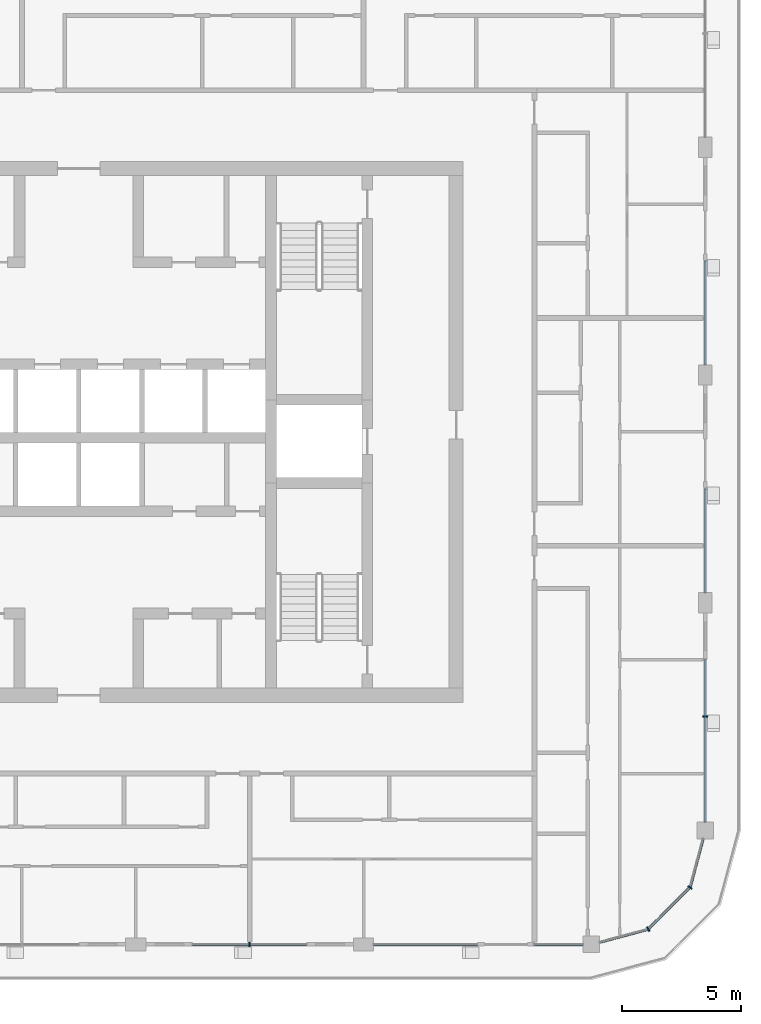
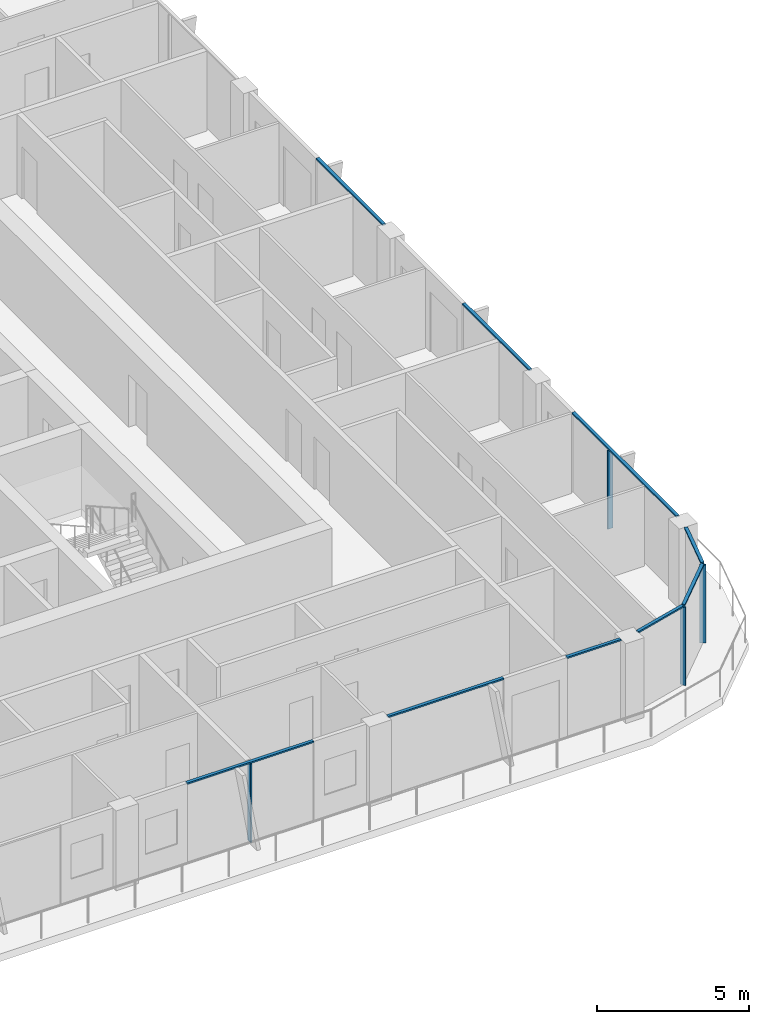
# One storey, part 4 of 22: 13 members, 6 elements without a shape of their own.
"""IFC4 building model written with IfcOpenShell, lengths in metres."""

from ifc_helpers import new_model, si_unit, direction, frame, origin, origin_2d, place, context, subcontext, project, spatial, rectangle, extrude, material, layer, layer_set, material_profile, profile_set, type_object, element, aggregate, save


model = new_model("IFC4")

# Units and contexts
model_context = context("Model", 3, precision=1e-05, world=origin(), true_north=direction((0.0, 1.0)))
body_context = subcontext(model_context, "Body", "Model", "MODEL_VIEW")
ifc_project = project(units=[si_unit("LENGTHUNIT", "METRE"), si_unit("AREAUNIT", "SQUARE_METRE"), si_unit("VOLUMEUNIT", "CUBIC_METRE"), si_unit("PLANEANGLEUNIT", "RADIAN"), si_unit("MASSUNIT", "GRAM", prefix="KILO")], contexts=[model_context])

# Site, building, storey
site_placement = place(None, origin())
site = spatial("IfcSite", under=ifc_project, at=site_placement, CompositionType="ELEMENT")
building_placement = place(site_placement, origin())
building = spatial("IfcBuilding", under=site, at=building_placement, Name="Madar Terraces", CompositionType="ELEMENT")
storey_placement = place(building_placement, frame((0.0, 0.0, 249.199951171875)))
storey = spatial("IfcBuildingStorey", under=building, at=storey_placement, Name="L65", CompositionType="ELEMENT", Elevation=249.199951171875)

# Curtain wall, member
ifc_material_1 = material(Name="Glass, ceramic frit dark grey, with black aluminium frame", Category="aluminium")
ifc_layer = layer(ifc_material_1, 0.199951171875)
ifc_layer_set = layer_set([ifc_layer], Name="Facade curtain wall, fritted glass")
curtain_wall_type = type_object("IfcCurtainWallType", Name="Facade curtain wall, fritted glass", PredefinedType="NOTDEFINED", material=ifc_layer_set)
curtain_wall_1_placement = place(storey_placement, origin())
curtain_wall_1 = element("IfcCurtainWall", 1, at=curtain_wall_1_placement, inside=storey, type_object=curtain_wall_type, Name="Outer skin curtain wall south bay 4", PredefinedType="NOTDEFINED")
ifc_material_2 = material(Name="Aluminium, black anodised", Category="aluminium")
ifc_material_profile_1 = material_profile(ifc_material_2, rectangle(XDim=0.199951171875, YDim=0.06005859375, at=origin_2d()), Name="Facade mullion 60x200")
ifc_profile_set_1 = profile_set([ifc_material_profile_1], Name="Aluminium, black anodised")
member_type_1 = type_object("IfcMemberType", Name="Facade mullion 60x200", PredefinedType="MULLION", material=ifc_profile_set_1)
member_1_placement = place(storey_placement, frame((38.39990234375, 4.800048828125, 0.0), z_axis=(0.0, 0.0, 1.0), x_axis=(0.0, 1.0, 0.0)))
member_1 = element("IfcMember", 2, at=member_1_placement, type_object=member_type_1, Name="Mullion 1", PredefinedType="MULLION", context=body_context, shape_type="SweptSolid", body=[
    extrude(rectangle(XDim=0.199951171875, YDim=0.06005859375, at=origin_2d()), origin(), (0.0, 0.0, 1.0), 3.14013671875),
])

curtain_wall_2_placement = place(storey_placement, origin())
curtain_wall_2 = element("IfcCurtainWall", 3, at=curtain_wall_2_placement, inside=storey, type_object=curtain_wall_type, Name="Outer skin curtain wall east bay 1", PredefinedType="NOTDEFINED")
member_2_placement = place(storey_placement, frame((57.60009765625, 14.39990234375, 0.0), z_axis=(0.0, 0.0, 1.0), x_axis=(-1.0, 0.0, 0.0)))
member_2 = element("IfcMember", 4, at=member_2_placement, type_object=member_type_1, Name="Mullion 1", PredefinedType="MULLION", context=body_context, shape_type="SweptSolid", body=[
    extrude(rectangle(XDim=0.199951171875, YDim=0.06005859375, at=origin_2d()), origin(), (0.0, 0.0, 1.0), 3.14013671875),
])

# Curtain wall, members
curtain_wall_3_placement = place(storey_placement, origin())
curtain_wall_3 = element("IfcCurtainWall", 5, at=curtain_wall_3_placement, inside=storey, type_object=curtain_wall_type, Name="Outer skin curtain wall south-east corner", PredefinedType="NOTDEFINED")
member_3_placement = place(storey_placement, frame((55.199951171875, 5.443115234375, 0.0), z_axis=(0.0, 0.0, 1.0), x_axis=(-0.499999989586, 0.866025409797, 0.0)))
member_3 = element("IfcMember", 6, at=member_3_placement, type_object=member_type_1, Name="Mullion 1", PredefinedType="MULLION", context=body_context, shape_type="SweptSolid", body=[
    extrude(rectangle(XDim=0.199951171875, YDim=0.06005859375, at=origin_2d()), origin(), (0.0, 0.0, 1.0), 3.14013671875),
])
member_4_placement = place(storey_placement, frame((56.95703125, 7.199951171875, 0.0), z_axis=(0.0, 0.0, 1.0), x_axis=(-0.866025409797, 0.499999989586, 0.0)))
member_4 = element("IfcMember", 7, at=member_4_placement, type_object=member_type_1, Name="Mullion 2", PredefinedType="MULLION", context=body_context, shape_type="SweptSolid", body=[
    extrude(rectangle(XDim=0.199951171875, YDim=0.06005859375, at=origin_2d()), origin(), (0.0, 0.0, 1.0), 3.14013671875),
])

# Member
ifc_material_3 = material(Name="Aluminium, black anodised", Category="aluminium")
ifc_material_profile_2 = material_profile(ifc_material_3, rectangle(XDim=0.1201171875, YDim=0.06005859375, at=origin_2d()), Name="Facade transom 60x120")
ifc_profile_set_2 = profile_set([ifc_material_profile_2], Name="Aluminium, black anodised")
member_type_2 = type_object("IfcMemberType", Name="Facade transom 60x120", PredefinedType="USERDEFINED", material=ifc_profile_set_2)
member_5_placement = place(storey_placement, frame((36.0, 4.800048828125, 3.170166015625), z_axis=(1.0, 0.0, 0.0), x_axis=(0.0, 1.0, 0.0)))
member_5 = element("IfcMember", 8, at=member_5_placement, type_object=member_type_2, Name="Transom 1", ObjectType="TRANSOM", PredefinedType="USERDEFINED", context=body_context, shape_type="SweptSolid", body=[
    extrude(rectangle(XDim=0.1201171875, YDim=0.06005859375, at=origin_2d()), origin(), (0.0, 0.0, 1.0), 4.800048828125),
])

aggregate(curtain_wall_1, [member_1, member_5])

# Curtain wall, members
curtain_wall_4_placement = place(storey_placement, origin())
curtain_wall_4 = element("IfcCurtainWall", 9, at=curtain_wall_4_placement, inside=storey, type_object=curtain_wall_type, Name="Outer skin curtain wall south bay 5", PredefinedType="NOTDEFINED")
member_6_placement = place(storey_placement, frame((43.625, 4.800048828125, 3.170166015625), z_axis=(1.0, 0.0, 0.0), x_axis=(0.0, 1.0, 0.0)))
member_6 = element("IfcMember", 10, at=member_6_placement, type_object=member_type_2, Name="Transom 1", ObjectType="TRANSOM", PredefinedType="USERDEFINED", context=body_context, shape_type="SweptSolid", body=[
    extrude(rectangle(XDim=0.1201171875, YDim=0.06005859375, at=origin_2d()), origin(), (0.0, 0.0, 1.0), 4.375),
])
member_7_placement = place(storey_placement, frame((50.39990234375, 4.800048828125, 3.170166015625), z_axis=(1.0, 0.0, 0.0), x_axis=(0.0, 1.0, 0.0)))
member_7 = element("IfcMember", 11, at=member_7_placement, type_object=member_type_2, Name="Transom 2", ObjectType="TRANSOM", PredefinedType="USERDEFINED", context=body_context, shape_type="SweptSolid", body=[
    extrude(rectangle(XDim=0.1201171875, YDim=0.06005859375, at=origin_2d()), origin(), (0.0, 0.0, 1.0), 2.050048828125),
])
aggregate(curtain_wall_4, [member_6, member_7])

# Member
member_8_placement = place(storey_placement, frame((57.60009765625, 9.949951171875, 3.170166015625), z_axis=(0.0, 1.0, 0.0), x_axis=(-1.0, 0.0, 0.0)))
member_8 = element("IfcMember", 12, at=member_8_placement, type_object=member_type_2, Name="Transom 1", ObjectType="TRANSOM", PredefinedType="USERDEFINED", context=body_context, shape_type="SweptSolid", body=[
    extrude(rectangle(XDim=0.1201171875, YDim=0.06005859375, at=origin_2d()), origin(), (0.0, 0.0, 1.0), 6.85009765625),
])

aggregate(curtain_wall_2, [member_2, member_8])

# Curtain wall, member
curtain_wall_5_placement = place(storey_placement, origin())
curtain_wall_5 = element("IfcCurtainWall", 13, at=curtain_wall_5_placement, inside=storey, type_object=curtain_wall_type, Name="Outer skin curtain wall east bay 2", PredefinedType="NOTDEFINED")
member_9_placement = place(storey_placement, frame((57.60009765625, 19.625, 3.170166015625), z_axis=(0.0, 1.0, 0.0), x_axis=(-1.0, 0.0, 0.0)))
member_9 = element("IfcMember", 14, at=member_9_placement, type_object=member_type_2, Name="Transom 1", ObjectType="TRANSOM", PredefinedType="USERDEFINED", context=body_context, shape_type="SweptSolid", body=[
    extrude(rectangle(XDim=0.1201171875, YDim=0.06005859375, at=origin_2d()), origin(), (0.0, 0.0, 1.0), 4.375),
])
aggregate(curtain_wall_5, [member_9])

curtain_wall_6_placement = place(storey_placement, origin())
curtain_wall_6 = element("IfcCurtainWall", 15, at=curtain_wall_6_placement, inside=storey, type_object=curtain_wall_type, Name="Outer skin curtain wall east bay 3", PredefinedType="NOTDEFINED")
member_10_placement = place(storey_placement, frame((57.60009765625, 29.22509765625, 3.170166015625), z_axis=(0.0, 1.0, 0.0), x_axis=(-1.0, 0.0, 0.0)))
member_10 = element("IfcMember", 16, at=member_10_placement, type_object=member_type_2, Name="Transom 1", ObjectType="TRANSOM", PredefinedType="USERDEFINED", context=body_context, shape_type="SweptSolid", body=[
    extrude(rectangle(XDim=0.1201171875, YDim=0.06005859375, at=origin_2d()), origin(), (0.0, 0.0, 1.0), 4.375),
])
aggregate(curtain_wall_6, [member_10])

# Member
member_11_placement = place(storey_placement, frame((53.14990234375, 4.893798828125, 3.170166015625), z_axis=(0.965936074212, 0.258780796304, 0.0), x_axis=(-0.258780796304, 0.965936074212, 0.0)))
member_11 = element("IfcMember", 17, at=member_11_placement, type_object=member_type_2, Name="Transom 1", ObjectType="TRANSOM", PredefinedType="USERDEFINED", context=body_context, shape_type="SweptSolid", body=[
    extrude(rectangle(XDim=0.1201171875, YDim=0.06005859375, at=origin_2d()), origin(), (0.0, 0.0, 1.0), 2.092529296875),
])

member_12_placement = place(storey_placement, frame((55.22119140625, 5.46435546875, 3.170166015625), z_axis=(0.707157125196, 0.707056433593, 0.0), x_axis=(-0.707056433593, 0.707157125196, 0.0)))
member_12 = element("IfcMember", 18, at=member_12_placement, type_object=member_type_2, Name="Transom 2", ObjectType="TRANSOM", PredefinedType="USERDEFINED", context=body_context, shape_type="SweptSolid", body=[
    extrude(rectangle(XDim=0.1201171875, YDim=0.06005859375, at=origin_2d()), origin(), (0.0, 0.0, 1.0), 2.424560546875),
])

member_13_placement = place(storey_placement, frame((56.964599609375, 7.22900390625, 3.170166015625), z_axis=(0.258809963731, 0.965928259589, 0.0), x_axis=(-0.965928259589, 0.258809963731, 0.0)))
member_13 = element("IfcMember", 19, at=member_13_placement, type_object=member_type_2, Name="Transom 3", ObjectType="TRANSOM", PredefinedType="USERDEFINED", context=body_context, shape_type="SweptSolid", body=[
    extrude(rectangle(XDim=0.1201171875, YDim=0.06005859375, at=origin_2d()), origin(), (0.0, 0.0, 1.0), 2.09228515625),
])

aggregate(curtain_wall_3, [member_3, member_11, member_4, member_12, member_13])

save(model, "model.ifc")
